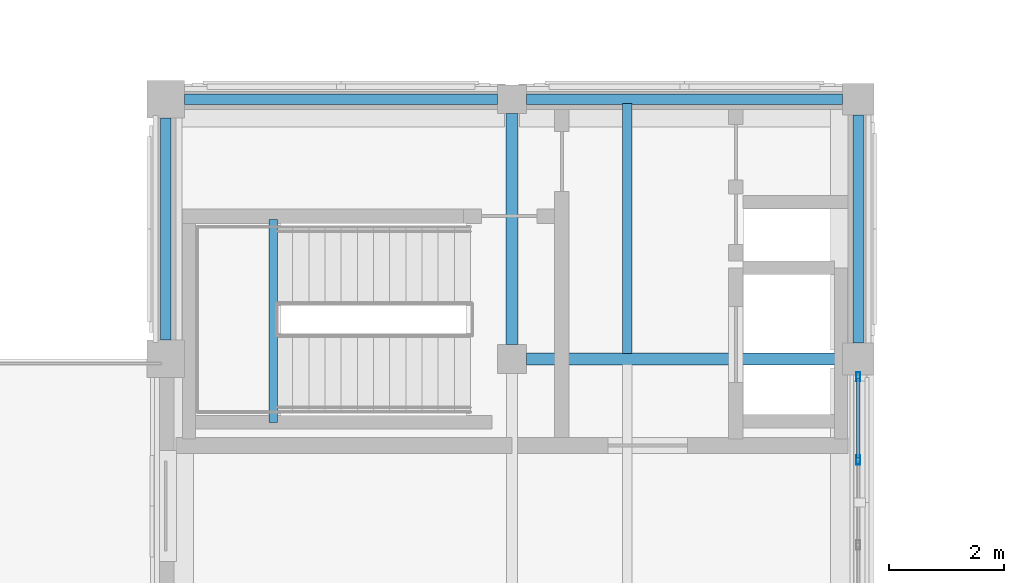
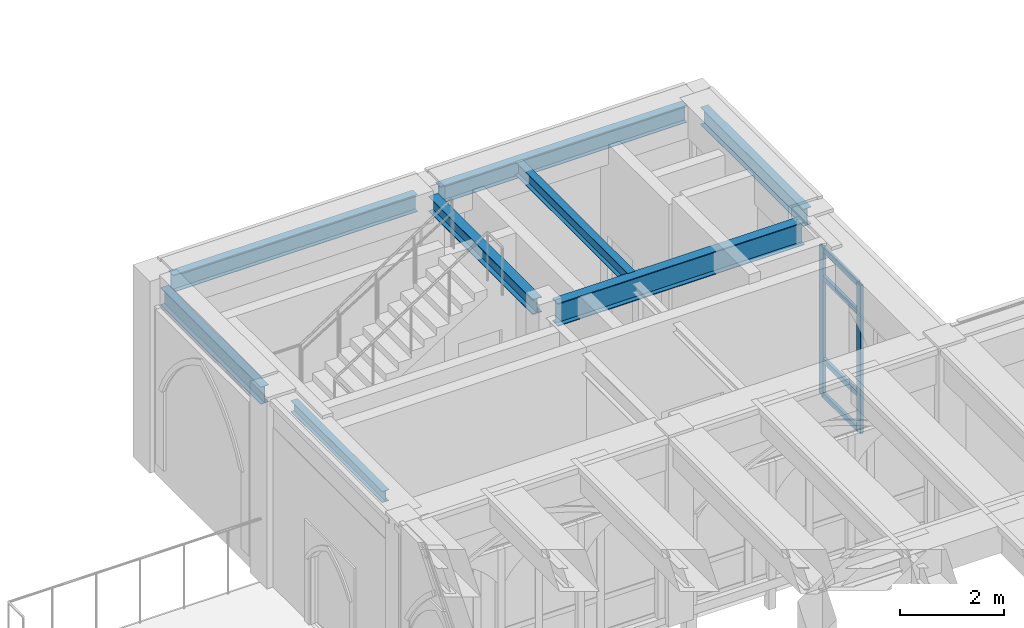
# One storey, part 29 of 127: 8 beams, 6 members, 1 element without a shape of its own.
"""IFC4 building model written with IfcOpenShell, lengths in metres."""

from ifc_helpers import new_model, si_unit, direction, frame, origin, origin_2d, place, context, subcontext, project, spatial, hollow_rectangle, i_section, extrude, material, layer, layer_set, material_profile, profile_set, type_object, element, aggregate, save


model = new_model("IFC4")

# Units and contexts
model_context = context("Model", 3, precision=1e-05, world=origin(), true_north=direction((0.0, 1.0)))
body_context = subcontext(model_context, "Body", "Model", "MODEL_VIEW")
ifc_project = project(units=[si_unit("LENGTHUNIT", "METRE"), si_unit("AREAUNIT", "SQUARE_METRE"), si_unit("VOLUMEUNIT", "CUBIC_METRE"), si_unit("PLANEANGLEUNIT", "RADIAN"), si_unit("MASSUNIT", "GRAM", prefix="KILO")], contexts=[model_context])

# Site, building, storey
site_placement = place(None, origin())
site = spatial("IfcSite", under=ifc_project, at=site_placement, CompositionType="ELEMENT")
building_placement = place(site_placement, origin())
building = spatial("IfcBuilding", under=site, at=building_placement, Name="Cumevento Cable Car Station", CompositionType="ELEMENT")
storey_placement = place(building_placement, frame((0.0, 0.0, 4.5)))
storey = spatial("IfcBuildingStorey", under=building, at=storey_placement, Name="L02", CompositionType="ELEMENT", Elevation=4.5)

# Curtain wall, members
ifc_material_1 = material(Name="Anodised Bronze Aluminium AW-6063-T6", Category="aluminium")
ifc_layer = layer(ifc_material_1, 0.219970703125)
ifc_layer_set = layer_set([ifc_layer], Name="Anodised Bronze Aluminium AW-6063-T6")
curtain_wall_type = type_object("IfcCurtainWallType", Name="Lancet Curtain Wall CW-11 1450", PredefinedType="NOTDEFINED", material=ifc_layer_set)
curtain_wall_placement = place(storey_placement, origin())
curtain_wall = element("IfcCurtainWall", 1, at=curtain_wall_placement, inside=storey, type_object=curtain_wall_type, Name="Lancet Curtain Wall CW-11 L02 #58", PredefinedType="NOTDEFINED")
ifc_material_2 = material(Name="Anodised Bronze Aluminium AW-6063-T6", Category="aluminium")
ifc_material_profile_1 = material_profile(ifc_material_2, hollow_rectangle(XDim=0.06494140625, YDim=0.159912109375, WallThickness=0.00390625, at=origin_2d()), Name="ALUM65x160x4")
ifc_profile_set_1 = profile_set([ifc_material_profile_1], Name="Anodised Bronze Aluminium AW-6063-T6")
member_type_1 = type_object("IfcMemberType", Name="Curtain Mullion CWM-01 ALUM65x160x4", PredefinedType="MULLION", material=ifc_profile_set_1)
member_1_placement = place(storey_placement, frame((34.0, 61.1923828125, 0.260009765625), z_axis=(0.0, 0.0, 1.0), x_axis=(1.0, 0.0, 0.0)))
member_1 = element("IfcMember", 2, at=member_1_placement, type_object=member_type_1, Name="CW-11 mullion 1", PredefinedType="MULLION", context=body_context, shape_type="SweptSolid", body=[
    extrude(hollow_rectangle(XDim=0.06494140625, YDim=0.159912109375, WallThickness=0.00390625, at=origin_2d()), origin(), (0.0, 0.0, 1.0), 3.48291015625),
])
member_2_placement = place(storey_placement, frame((34.0, 59.75, 0.260009765625), z_axis=(0.0, 0.0, 1.0), x_axis=(1.0, 0.0, 0.0)))
member_2 = element("IfcMember", 3, at=member_2_placement, type_object=member_type_1, Name="CW-11 mullion 2", PredefinedType="MULLION", context=body_context, shape_type="SweptSolid", body=[
    extrude(hollow_rectangle(XDim=0.06494140625, YDim=0.159912109375, WallThickness=0.00390625, at=origin_2d()), origin(), (0.0, 0.0, 1.0), 3.48291015625),
])
ifc_material_3 = material(Name="Anodised Bronze Aluminium AW-6063-T6", Category="aluminium")
ifc_material_profile_2 = material_profile(ifc_material_3, hollow_rectangle(XDim=0.06494140625, YDim=0.1201171875, WallThickness=0.00390625, at=origin_2d()), Name="ALUT65x120x4")
ifc_profile_set_2 = profile_set([ifc_material_profile_2], Name="Anodised Bronze Aluminium AW-6063-T6")
member_type_2 = type_object("IfcMemberType", Name="Curtain Transom CWT-01 ALUT65x120x4", PredefinedType="USERDEFINED", material=ifc_profile_set_2)
member_3_placement = place(storey_placement, frame((34.0, 61.159912109375, 0.29248046875), z_axis=(0.0, -1.0, 0.0), x_axis=(1.0, 0.0, 0.0)))
member_3 = element("IfcMember", 4, at=member_3_placement, type_object=member_type_2, Name="CW-11 transom 1.1", ObjectType="TRANSOM", PredefinedType="USERDEFINED", context=body_context, shape_type="SweptSolid", body=[
    extrude(hollow_rectangle(XDim=0.06494140625, YDim=0.1201171875, WallThickness=0.00390625, at=origin_2d()), origin(), (0.0, 0.0, 1.0), 1.37744140625),
])
member_4_placement = place(storey_placement, frame((34.0, 61.159912109375, 1.110107421875), z_axis=(0.0, -1.0, 0.0), x_axis=(1.0, 0.0, 0.0)))
member_4 = element("IfcMember", 5, at=member_4_placement, type_object=member_type_2, Name="CW-11 transom 1.2", ObjectType="TRANSOM", PredefinedType="USERDEFINED", context=body_context, shape_type="SweptSolid", body=[
    extrude(hollow_rectangle(XDim=0.06494140625, YDim=0.1201171875, WallThickness=0.00390625, at=origin_2d()), origin(), (0.0, 0.0, 1.0), 1.37744140625),
])
member_5_placement = place(storey_placement, frame((34.0, 61.159912109375, 3.04296875), z_axis=(0.0, -1.0, 0.0), x_axis=(1.0, 0.0, 0.0)))
member_5 = element("IfcMember", 6, at=member_5_placement, type_object=member_type_2, Name="CW-11 transom 1.3", ObjectType="TRANSOM", PredefinedType="USERDEFINED", context=body_context, shape_type="SweptSolid", body=[
    extrude(hollow_rectangle(XDim=0.06494140625, YDim=0.1201171875, WallThickness=0.00390625, at=origin_2d()), origin(), (0.0, 0.0, 1.0), 1.37744140625),
])
member_6_placement = place(storey_placement, frame((34.0, 61.159912109375, 3.71044921875), z_axis=(0.0, -1.0, 0.0), x_axis=(1.0, 0.0, 0.0)))
member_6 = element("IfcMember", 7, at=member_6_placement, type_object=member_type_2, Name="CW-11 transom 1.4", ObjectType="TRANSOM", PredefinedType="USERDEFINED", context=body_context, shape_type="SweptSolid", body=[
    extrude(hollow_rectangle(XDim=0.06494140625, YDim=0.1201171875, WallThickness=0.00390625, at=origin_2d()), origin(), (0.0, 0.0, 1.0), 1.37744140625),
])
aggregate(curtain_wall, [member_1, member_2, member_3, member_4, member_5, member_6])

# Beams
ifc_material_4 = material(Name="Steel ASTM A572 Grade 50", Category="steel")
ifc_material_profile_3 = material_profile(ifc_material_4, i_section(OverallWidth=0.205078125, OverallDepth=0.35400390625, WebThickness=0.009521484375, FlangeThickness=0.016845703125, at=origin_2d()), Name="W360x79.0")
ifc_profile_set_3 = profile_set([ifc_material_profile_3], Name="Steel ASTM A572 Grade 50")
beam_type_1 = type_object("IfcBeamType", Name="Structural Beam BM-05 W360x79.0", PredefinedType="BEAM", material=ifc_profile_set_3)
beam_1_placement = place(storey_placement, frame((28.0, 61.75, 4.09912109375), z_axis=(0.0, 1.0, 0.0), x_axis=(-1.0, 0.0, 0.0)))
element("IfcBeam", 8, at=beam_1_placement, inside=storey, type_object=beam_type_1, Name="Beam BM-05 L02 #582", PredefinedType="BEAM", context=body_context, shape_type="SweptSolid", body=[
    extrude(i_section(OverallWidth=0.205078125, OverallDepth=0.35400390625, WebThickness=0.009521484375, FlangeThickness=0.016845703125, at=origin_2d()), origin(), (0.0, 0.0, 1.0), 4.0),
])
ifc_material_5 = material(Name="Steel ASTM A572 Grade 50", Category="steel")
ifc_material_profile_4 = material_profile(ifc_material_5, i_section(OverallWidth=0.14794921875, OverallDepth=0.26611328125, WebThickness=0.007568359375, FlangeThickness=0.012939453125, at=origin_2d()), Name="W250x44.8")
ifc_profile_set_4 = profile_set([ifc_material_profile_4], Name="Steel ASTM A572 Grade 50")
beam_type_2 = type_object("IfcBeamType", Name="Structural Beam BM-07 W250x44.8", PredefinedType="BEAM", material=ifc_profile_set_4)
beam_2_placement = place(storey_placement, frame((23.860107421875, 60.39990234375, 1.902099609375), z_axis=(0.0, 1.0, 0.0), x_axis=(-1.0, 0.0, 0.0)))
element("IfcBeam", 9, at=beam_2_placement, inside=storey, type_object=beam_type_2, Name="Core Stair Half-Landing Trimmer ST-04-L02", PredefinedType="BEAM", context=body_context, shape_type="SweptSolid", body=[
    extrude(i_section(OverallWidth=0.14794921875, OverallDepth=0.26611328125, WebThickness=0.007568359375, FlangeThickness=0.012939453125, at=origin_2d()), origin(), (0.0, 0.0, 1.0), 3.52001953125),
])
ifc_material_6 = material(Name="Steel ASTM A572 Grade 50", Category="steel")
ifc_material_profile_5 = material_profile(ifc_material_6, i_section(OverallWidth=0.2109375, OverallDepth=0.5390625, WebThickness=0.01171875, FlangeThickness=0.018798828125, at=origin_2d()), Name="W530x109.0")
ifc_profile_set_5 = profile_set([ifc_material_profile_5], Name="Steel ASTM A572 Grade 50")
beam_type_3 = type_object("IfcBeamType", Name="Structural Beam BM-11 W530x109.0", PredefinedType="BEAM", material=ifc_profile_set_5)
beam_3_placement = place(storey_placement, frame((28.25, 61.5, 4.006591796875), z_axis=(1.0, 0.0, 0.0), x_axis=(0.0, 1.0, 0.0)))
element("IfcBeam", 10, at=beam_3_placement, inside=storey, type_object=beam_type_3, Name="Beam BM-11 L02 #576", PredefinedType="BEAM", context=body_context, shape_type="SweptSolid", body=[
    extrude(i_section(OverallWidth=0.2109375, OverallDepth=0.5390625, WebThickness=0.01171875, FlangeThickness=0.018798828125, at=origin_2d()), origin(), (0.0, 0.0, 1.0), 5.47509765625),
])
ifc_material_7 = material(Name="Steel ASTM A572 Grade 50", Category="steel")
ifc_material_profile_6 = material_profile(ifc_material_7, i_section(OverallWidth=0.1650390625, OverallDepth=0.31005859375, WebThickness=0.005859375, FlangeThickness=0.009765625, at=origin_2d()), Name="W310x38.7")
ifc_profile_set_6 = profile_set([ifc_material_profile_6], Name="Steel ASTM A572 Grade 50")
beam_type_4 = type_object("IfcBeamType", Name="Structural Joist JS-03 W310x38.7", PredefinedType="JOIST", material=ifc_profile_set_6)
beam_4_placement = place(storey_placement, frame((30.0, 61.593505859375, 4.12109375), z_axis=(0.0, 1.0, 0.0), x_axis=(-1.0, 0.0, 0.0)))
element("IfcBeam", 11, at=beam_4_placement, inside=storey, type_object=beam_type_4, Name="Composite Floor Joist JS-03 L02 #809", PredefinedType="JOIST", context=body_context, shape_type="SweptSolid", body=[
    extrude(i_section(OverallWidth=0.1650390625, OverallDepth=0.31005859375, WebThickness=0.005859375, FlangeThickness=0.009765625, at=origin_2d()), origin(), (0.0, 0.0, 1.0), 4.32958984375),
])
ifc_material_8 = material(Name="Steel ASTM A572 Grade 50", Category="steel")
ifc_material_profile_7 = material_profile(ifc_material_8, i_section(OverallWidth=0.177978515625, OverallDepth=0.406982421875, WebThickness=0.0078125, FlangeThickness=0.0126953125, at=origin_2d()), Name="W410x60.0")
ifc_profile_set_7 = profile_set([ifc_material_profile_7], Name="Steel ASTM A572 Grade 50")
beam_type_5 = type_object("IfcBeamType", Name="Structural Spandrel SP-01 W410x60.0", PredefinedType="SPANDREL", material=ifc_profile_set_7)
beam_5_placement = place(storey_placement, frame((22.324951171875, 66.0, 4.072509765625), z_axis=(1.0, 0.0, 0.0), x_axis=(0.0, 1.0, 0.0)))
element("IfcBeam", 12, at=beam_5_placement, inside=storey, type_object=beam_type_5, Name="Beam SP-01 L02 #577", PredefinedType="SPANDREL", context=body_context, shape_type="SweptSolid", body=[
    extrude(i_section(OverallWidth=0.177978515625, OverallDepth=0.406982421875, WebThickness=0.0078125, FlangeThickness=0.0126953125, at=origin_2d()), origin(), (0.0, 0.0, 1.0), 5.425048828125),
])
beam_6_placement = place(storey_placement, frame((28.25, 66.0, 4.072509765625), z_axis=(1.0, 0.0, 0.0), x_axis=(0.0, 1.0, 0.0)))
element("IfcBeam", 13, at=beam_6_placement, inside=storey, type_object=beam_type_5, Name="Beam SP-01 L02 #578", PredefinedType="SPANDREL", context=body_context, shape_type="SweptSolid", body=[
    extrude(i_section(OverallWidth=0.177978515625, OverallDepth=0.406982421875, WebThickness=0.0078125, FlangeThickness=0.0126953125, at=origin_2d()), origin(), (0.0, 0.0, 1.0), 5.47509765625),
])
beam_7_placement = place(storey_placement, frame((22.0, 61.824951171875, 4.072509765625), z_axis=(0.0, 1.0, 0.0), x_axis=(-1.0, 0.0, 0.0)))
element("IfcBeam", 14, at=beam_7_placement, inside=storey, type_object=beam_type_5, Name="Beam SP-01 L02 #580", PredefinedType="SPANDREL", context=body_context, shape_type="SweptSolid", body=[
    extrude(i_section(OverallWidth=0.177978515625, OverallDepth=0.406982421875, WebThickness=0.0078125, FlangeThickness=0.0126953125, at=origin_2d()), origin(), (0.0, 0.0, 1.0), 3.85009765625),
])
beam_8_placement = place(storey_placement, frame((34.0, 61.77490234375, 4.072509765625), z_axis=(0.0, 1.0, 0.0), x_axis=(-1.0, 0.0, 0.0)))
element("IfcBeam", 15, at=beam_8_placement, inside=storey, type_object=beam_type_5, Name="Beam SP-01 L02 #584", PredefinedType="SPANDREL", context=body_context, shape_type="SweptSolid", body=[
    extrude(i_section(OverallWidth=0.177978515625, OverallDepth=0.406982421875, WebThickness=0.0078125, FlangeThickness=0.0126953125, at=origin_2d()), origin(), (0.0, 0.0, 1.0), 3.9501953125),
])

save(model, "model.ifc")
